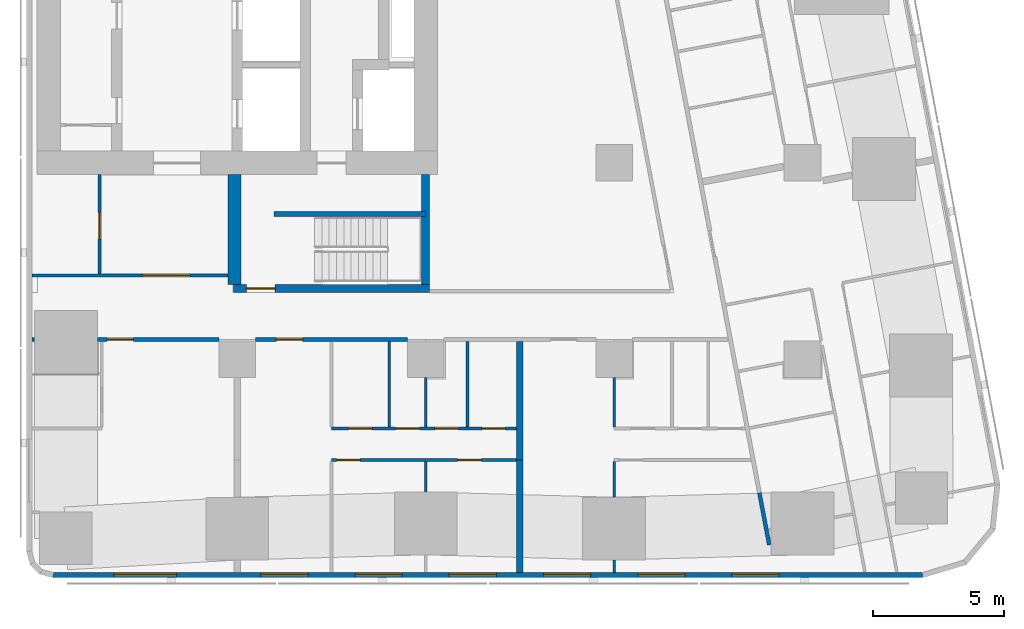
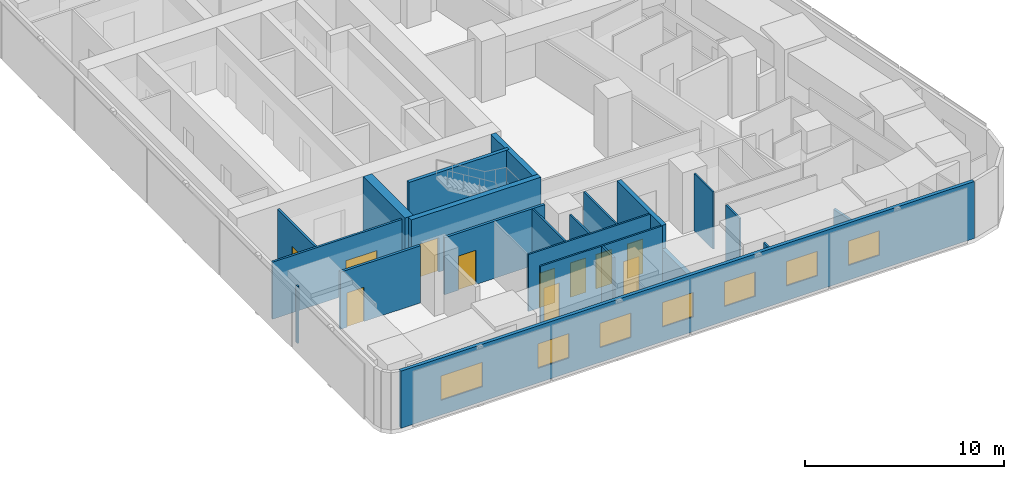
# One storey, part 2 of 10: 22 walls, 11 doors, 7 windows, 18 openings.
"""IFC4 building model written with IfcOpenShell, lengths in metres."""

from ifc_helpers import new_model, si_unit, direction, frame, frame_2d, origin, place, context, subcontext, project, spatial, rectangle, extrude, material, layer, layer_set, type_object, element, fill, save


model = new_model("IFC4")

# Units and contexts
model_context = context("Model", 3, precision=1e-05, world=origin(), true_north=direction((0.0, 1.0)))
body_context = subcontext(model_context, "Body", "Model", "MODEL_VIEW")
ifc_project = project(units=[si_unit("LENGTHUNIT", "METRE"), si_unit("AREAUNIT", "SQUARE_METRE"), si_unit("VOLUMEUNIT", "CUBIC_METRE"), si_unit("PLANEANGLEUNIT", "RADIAN"), si_unit("MASSUNIT", "GRAM", prefix="KILO")], contexts=[model_context])

# Site, building, storey
site_placement = place(None, origin())
site = spatial("IfcSite", under=ifc_project, at=site_placement, CompositionType="ELEMENT")
building_placement = place(site_placement, origin())
building = spatial("IfcBuilding", under=site, at=building_placement, Name="Sheger Commons Tower", CompositionType="ELEMENT")
storey_placement = place(building_placement, frame((0.0, 0.0, 234.949951171875)))
storey = spatial("IfcBuildingStorey", under=building, at=storey_placement, Name="L60", CompositionType="ELEMENT", Elevation=234.949951171875)

# Wall, opening, door
ifc_material_1 = material(Name="Hollow concrete block masonry, skimmed both sides", Category="masonry")
ifc_layer_1 = layer(ifc_material_1, 0.14990234375)
ifc_layer_set_1 = layer_set([ifc_layer_1], Name="CORRIDOR WALL 150")
wall_type_1 = type_object("IfcWallType", Name="CORRIDOR WALL 150", PredefinedType="SOLIDWALL", material=ifc_layer_set_1)
wall_1_placement = place(storey_placement, frame((28.09912109375, 8.25, 0.0), z_axis=(0.0, 0.0, 1.0), x_axis=(-1.0, 0.0, 0.0)))
wall_1 = element("IfcWall", 1, at=wall_1_placement, inside=storey, type_object=wall_type_1, Name="Corridor wall L60", PredefinedType="SOLIDWALL", context=body_context, shape_type="SweptSolid", body=[
    extrude(rectangle(XDim=5.798095703125, YDim=0.14990234375, at=frame_2d((2.89892578125, 0.0))), origin(), (0.0, 0.0, 1.0), 3.5),
])
opening_1_placement = place(wall_1_placement, frame((3.9990234375, 0.0, 0.0)))
opening_1 = element("IfcOpeningElement", 2, at=opening_1_placement, cuts=wall_1, Name="Opening D1", PredefinedType="OPENING", context=body_context, shape_type="SweptSolid", body=[
    extrude(rectangle(XDim=1.0, YDim=2.10009765625, at=frame_2d((0.5, 1.050048828125))), frame((0.0, 0.0849609375, 0.0), z_axis=(0.0, -1.0, 0.0), x_axis=(1.0, 0.0, 0.0)), (0.0, 0.0, 1.0), 0.169921875),
])
ifc_material_2 = material(Name="Steel door set, fire rated", Category="steel")
door_type_1 = type_object("IfcDoorType", Name="FLAT ENTRANCE DOOR 1000x2100", OperationType="NOTDEFINED", PredefinedType="DOOR", material=ifc_material_2)
door_1_placement = place(opening_1_placement, origin())
door_1 = element("IfcDoor", 3, at=door_1_placement, inside=storey, type_object=door_type_1, Name="Flat entrance door", OperationType="SINGLE_SWING_RIGHT", OverallHeight=2.10009765625, OverallWidth=1.0, PredefinedType="DOOR", context=body_context, shape_type="SweptSolid", body=[
    extrude(rectangle(XDim=1.0, YDim=2.10009765625, at=frame_2d((0.5, 1.050048828125))), frame((0.0, 0.02490234375, 0.0), z_axis=(0.0, -1.0, 0.0), x_axis=(1.0, 0.0, 0.0)), (0.0, 0.0, 1.0), 0.050048828125),
])
fill(opening_1, door_1)

wall_2_placement = place(storey_placement, frame((20.89892578125, 8.25, 0.0), z_axis=(0.0, 0.0, 1.0), x_axis=(-1.0, 0.0, 0.0)))
wall_2 = element("IfcWall", 4, at=wall_2_placement, inside=storey, type_object=wall_type_1, Name="Corridor wall L60", PredefinedType="SOLIDWALL", context=body_context, shape_type="SweptSolid", body=[
    extrude(rectangle(XDim=4.64404296875, YDim=0.14990234375, at=frame_2d((2.322021484375, 0.0))), origin(), (0.0, 0.0, 1.0), 3.5),
])
opening_2_placement = place(wall_2_placement, frame((3.27001953125, 0.0, 0.0)))
opening_2 = element("IfcOpeningElement", 5, at=opening_2_placement, cuts=wall_2, Name="Opening D1", PredefinedType="OPENING", context=body_context, shape_type="SweptSolid", body=[
    extrude(rectangle(XDim=1.0, YDim=2.10009765625, at=frame_2d((0.5, 1.050048828125))), frame((0.0, 0.0849609375, 0.0), z_axis=(0.0, -1.0, 0.0), x_axis=(1.0, 0.0, 0.0)), (0.0, 0.0, 1.0), 0.169921875),
])
door_2_placement = place(opening_2_placement, origin())
door_2 = element("IfcDoor", 6, at=door_2_placement, inside=storey, type_object=door_type_1, Name="Flat entrance door", OperationType="SINGLE_SWING_LEFT", OverallHeight=2.10009765625, OverallWidth=1.0, PredefinedType="DOOR", context=body_context, shape_type="SweptSolid", body=[
    extrude(rectangle(XDim=1.0, YDim=2.10009765625, at=frame_2d((0.5, 1.050048828125))), frame((0.0, 0.02490234375, 0.0), z_axis=(0.0, -1.0, 0.0), x_axis=(1.0, 0.0, 0.0)), (0.0, 0.0, 1.0), 0.050048828125),
])
fill(opening_2, door_2)

# Walls
wall_3_placement = place(storey_placement, frame((13.85302734375, 8.25, 0.0), z_axis=(0.0, 0.0, 1.0), x_axis=(-1.0, 0.0, 0.0)))
element("IfcWall", 7, at=wall_3_placement, inside=storey, type_object=wall_type_1, Name="Corridor wall L60", PredefinedType="SOLIDWALL", context=body_context, shape_type="SweptSolid", body=[
    extrude(rectangle(XDim=0.10302734375, YDim=0.14990234375, at=frame_2d((0.051513671875, 0.0))), origin(), (0.0, 0.0, 1.0), 3.5),
])
wall_4_placement = place(storey_placement, frame((41.552001953125, 2.39208984375, 0.0), z_axis=(0.0, 0.0, 1.0), x_axis=(0.185535500323, -0.982637561932, 0.0)))
element("IfcWall", 8, at=wall_4_placement, inside=storey, type_object=wall_type_1, Name="Corridor wall L60", PredefinedType="SOLIDWALL", context=body_context, shape_type="SweptSolid", body=[
    extrude(rectangle(XDim=2.021240234375, YDim=0.14990234375, at=frame_2d((1.0107421875, 0.0))), origin(), (0.0, 0.0, 1.0), 2.050048828125),
])
ifc_material_3 = material(Name="Dense concrete block masonry, plastered both sides (separating wall between flats)", Category="masonry")
ifc_layer_2 = layer(ifc_material_3, 0.25)
ifc_layer_set_2 = layer_set([ifc_layer_2], Name="DEMISING WALL 250")
wall_type_2 = type_object("IfcWallType", Name="DEMISING WALL 250", PredefinedType="SOLIDWALL", material=ifc_layer_set_2)
wall_5_placement = place(storey_placement, frame((32.39990234375, -0.64990234375, 0.0), z_axis=(0.0, 0.0, 1.0), x_axis=(0.0, 1.0, 0.0)))
element("IfcWall", 9, at=wall_5_placement, inside=storey, type_object=wall_type_2, Name="Demising wall L60", PredefinedType="SOLIDWALL", context=body_context, shape_type="SweptSolid", body=[
    extrude(rectangle(XDim=4.2998046875, YDim=0.25, at=frame_2d((2.14990234375, 0.0))), origin(), (0.0, 0.0, 1.0), 2.050048828125),
])
wall_6_placement = place(storey_placement, frame((32.39990234375, 3.64990234375, 0.0), z_axis=(0.0, 0.0, 1.0), x_axis=(0.0, 1.0, 0.0)))
element("IfcWall", 10, at=wall_6_placement, inside=storey, type_object=wall_type_2, Name="Demising wall L60", PredefinedType="SOLIDWALL", context=body_context, shape_type="SweptSolid", body=[
    extrude(rectangle(XDim=4.525146484375, YDim=0.25, at=frame_2d((2.2626953125, 0.0))), origin(), (0.0, 0.0, 1.0), 3.5),
])

# Wall, openings, windows
ifc_material_4 = material(Name="Rendered concrete block masonry, dark grey", Category="masonry")
ifc_layer_3 = layer(ifc_material_4, 0.199951171875)
ifc_layer_set_3 = layer_set([ifc_layer_3], Name="FACADE WALL 200")
wall_type_3 = type_object("IfcWallType", Name="FACADE WALL 200", PredefinedType="SOLIDWALL", material=ifc_layer_set_3)
wall_7_placement = place(storey_placement, frame((14.56298828125, -0.75, 0.0), z_axis=(0.0, 0.0, 1.0), x_axis=(1.0, 0.0, 0.0)))
wall_7 = element("IfcWall", 11, at=wall_7_placement, inside=storey, type_object=wall_type_3, Name="Facade wall L60", PredefinedType="SOLIDWALL", context=body_context, shape_type="SweptSolid", body=[
    extrude(rectangle(XDim=33.22802734375, YDim=0.199951171875, at=frame_2d((16.614013671875, 0.0))), origin(), (0.0, 0.0, 1.0), 3.5),
])
opening_3_placement = place(wall_7_placement, frame((2.319091796875, 0.0, 0.89990234375)))
opening_3 = element("IfcOpeningElement", 12, at=opening_3_placement, cuts=wall_7, Name="Opening W1", PredefinedType="OPENING", context=body_context, shape_type="SweptSolid", body=[
    extrude(rectangle(XDim=2.39990234375, YDim=1.5, at=frame_2d((1.199951171875, 0.75))), frame((0.0, 0.10986328125, 0.0), z_axis=(0.0, -1.0, 0.0), x_axis=(1.0, 0.0, 0.0)), (0.0, 0.0, 1.0), 0.219970703125),
])
opening_4_placement = place(wall_7_placement, frame((7.93701171875, 0.0, 0.89990234375)))
opening_4 = element("IfcOpeningElement", 13, at=opening_4_placement, cuts=wall_7, Name="Opening W2", PredefinedType="OPENING", context=body_context, shape_type="SweptSolid", body=[
    extrude(rectangle(XDim=1.800048828125, YDim=1.5, at=frame_2d((0.89990234375, 0.75))), frame((0.0, 0.10986328125, 0.0), z_axis=(0.0, -1.0, 0.0), x_axis=(1.0, 0.0, 0.0)), (0.0, 0.0, 1.0), 0.219970703125),
])
opening_5_placement = place(wall_7_placement, frame((11.537109375, 0.0, 0.89990234375)))
opening_5 = element("IfcOpeningElement", 14, at=opening_5_placement, cuts=wall_7, Name="Opening W2", PredefinedType="OPENING", context=body_context, shape_type="SweptSolid", body=[
    extrude(rectangle(XDim=1.800048828125, YDim=1.5, at=frame_2d((0.89990234375, 0.75))), frame((0.0, 0.10986328125, 0.0), z_axis=(0.0, -1.0, 0.0), x_axis=(1.0, 0.0, 0.0)), (0.0, 0.0, 1.0), 0.219970703125),
])
opening_6_placement = place(wall_7_placement, frame((15.136962890625, 0.0, 0.89990234375)))
opening_6 = element("IfcOpeningElement", 15, at=opening_6_placement, cuts=wall_7, Name="Opening W2", PredefinedType="OPENING", context=body_context, shape_type="SweptSolid", body=[
    extrude(rectangle(XDim=1.800048828125, YDim=1.5, at=frame_2d((0.89990234375, 0.75))), frame((0.0, 0.10986328125, 0.0), z_axis=(0.0, -1.0, 0.0), x_axis=(1.0, 0.0, 0.0)), (0.0, 0.0, 1.0), 0.219970703125),
])
opening_7_placement = place(wall_7_placement, frame((18.737060546875, 0.0, 0.89990234375)))
opening_7 = element("IfcOpeningElement", 16, at=opening_7_placement, cuts=wall_7, Name="Opening W2", PredefinedType="OPENING", context=body_context, shape_type="SweptSolid", body=[
    extrude(rectangle(XDim=1.800048828125, YDim=1.5, at=frame_2d((0.89990234375, 0.75))), frame((0.0, 0.10986328125, 0.0), z_axis=(0.0, -1.0, 0.0), x_axis=(1.0, 0.0, 0.0)), (0.0, 0.0, 1.0), 0.219970703125),
])
opening_8_placement = place(wall_7_placement, frame((22.3369140625, 0.0, 0.89990234375)))
opening_8 = element("IfcOpeningElement", 17, at=opening_8_placement, cuts=wall_7, Name="Opening W2", PredefinedType="OPENING", context=body_context, shape_type="SweptSolid", body=[
    extrude(rectangle(XDim=1.800048828125, YDim=1.5, at=frame_2d((0.89990234375, 0.75))), frame((0.0, 0.10986328125, 0.0), z_axis=(0.0, -1.0, 0.0), x_axis=(1.0, 0.0, 0.0)), (0.0, 0.0, 1.0), 0.219970703125),
])
opening_9_placement = place(wall_7_placement, frame((25.93701171875, 0.0, 0.89990234375)))
opening_9 = element("IfcOpeningElement", 18, at=opening_9_placement, cuts=wall_7, Name="Opening W2", PredefinedType="OPENING", context=body_context, shape_type="SweptSolid", body=[
    extrude(rectangle(XDim=1.800048828125, YDim=1.5, at=frame_2d((0.89990234375, 0.75))), frame((0.0, 0.10986328125, 0.0), z_axis=(0.0, -1.0, 0.0), x_axis=(1.0, 0.0, 0.0)), (0.0, 0.0, 1.0), 0.219970703125),
])
ifc_material_5 = material(Name="Black aluminium frame, dark tinted double glazing", Category="aluminium")
window_type_1 = type_object("IfcWindowType", Name="WINDOW W1 2400x1500", PartitioningType="SINGLE_PANEL", PredefinedType="WINDOW", material=ifc_material_5)
window_1_placement = place(opening_3_placement, origin())
window_1 = element("IfcWindow", 19, at=window_1_placement, inside=storey, type_object=window_type_1, Name="Window W1 2400X1500", OverallHeight=1.5, OverallWidth=2.39990234375, PartitioningType="SINGLE_PANEL", PredefinedType="WINDOW", context=body_context, shape_type="SweptSolid", body=[
    extrude(rectangle(XDim=2.39990234375, YDim=1.5, at=frame_2d((1.199951171875, 0.75))), frame((0.0, 0.030029296875, 0.0), z_axis=(0.0, -1.0, 0.0), x_axis=(1.0, 0.0, 0.0)), (0.0, 0.0, 1.0), 0.06005859375),
])
fill(opening_3, window_1)
ifc_material_6 = material(Name="Black aluminium frame, dark tinted double glazing", Category="aluminium")
window_type_2 = type_object("IfcWindowType", Name="WINDOW W2 1800x1500", PartitioningType="SINGLE_PANEL", PredefinedType="WINDOW", material=ifc_material_6)
window_2_placement = place(opening_4_placement, origin())
window_2 = element("IfcWindow", 20, at=window_2_placement, inside=storey, type_object=window_type_2, Name="Window W2 1800X1500", OverallHeight=1.5, OverallWidth=1.800048828125, PartitioningType="SINGLE_PANEL", PredefinedType="WINDOW", context=body_context, shape_type="SweptSolid", body=[
    extrude(rectangle(XDim=1.800048828125, YDim=1.5, at=frame_2d((0.89990234375, 0.75))), frame((0.0, 0.030029296875, 0.0), z_axis=(0.0, -1.0, 0.0), x_axis=(1.0, 0.0, 0.0)), (0.0, 0.0, 1.0), 0.06005859375),
])
fill(opening_4, window_2)
window_3_placement = place(opening_5_placement, origin())
window_3 = element("IfcWindow", 21, at=window_3_placement, inside=storey, type_object=window_type_2, Name="Window W2 1800X1500", OverallHeight=1.5, OverallWidth=1.800048828125, PartitioningType="SINGLE_PANEL", PredefinedType="WINDOW", context=body_context, shape_type="SweptSolid", body=[
    extrude(rectangle(XDim=1.800048828125, YDim=1.5, at=frame_2d((0.89990234375, 0.75))), frame((0.0, 0.030029296875, 0.0), z_axis=(0.0, -1.0, 0.0), x_axis=(1.0, 0.0, 0.0)), (0.0, 0.0, 1.0), 0.06005859375),
])
fill(opening_5, window_3)
window_4_placement = place(opening_6_placement, origin())
window_4 = element("IfcWindow", 22, at=window_4_placement, inside=storey, type_object=window_type_2, Name="Window W2 1800X1500", OverallHeight=1.5, OverallWidth=1.800048828125, PartitioningType="SINGLE_PANEL", PredefinedType="WINDOW", context=body_context, shape_type="SweptSolid", body=[
    extrude(rectangle(XDim=1.800048828125, YDim=1.5, at=frame_2d((0.89990234375, 0.75))), frame((0.0, 0.030029296875, 0.0), z_axis=(0.0, -1.0, 0.0), x_axis=(1.0, 0.0, 0.0)), (0.0, 0.0, 1.0), 0.06005859375),
])
fill(opening_6, window_4)
window_5_placement = place(opening_7_placement, origin())
window_5 = element("IfcWindow", 23, at=window_5_placement, inside=storey, type_object=window_type_2, Name="Window W2 1800X1500", OverallHeight=1.5, OverallWidth=1.800048828125, PartitioningType="SINGLE_PANEL", PredefinedType="WINDOW", context=body_context, shape_type="SweptSolid", body=[
    extrude(rectangle(XDim=1.800048828125, YDim=1.5, at=frame_2d((0.89990234375, 0.75))), frame((0.0, 0.030029296875, 0.0), z_axis=(0.0, -1.0, 0.0), x_axis=(1.0, 0.0, 0.0)), (0.0, 0.0, 1.0), 0.06005859375),
])
fill(opening_7, window_5)
window_6_placement = place(opening_8_placement, origin())
window_6 = element("IfcWindow", 24, at=window_6_placement, inside=storey, type_object=window_type_2, Name="Window W2 1800X1500", OverallHeight=1.5, OverallWidth=1.800048828125, PartitioningType="SINGLE_PANEL", PredefinedType="WINDOW", context=body_context, shape_type="SweptSolid", body=[
    extrude(rectangle(XDim=1.800048828125, YDim=1.5, at=frame_2d((0.89990234375, 0.75))), frame((0.0, 0.030029296875, 0.0), z_axis=(0.0, -1.0, 0.0), x_axis=(1.0, 0.0, 0.0)), (0.0, 0.0, 1.0), 0.06005859375),
])
fill(opening_8, window_6)
window_7_placement = place(opening_9_placement, origin())
window_7 = element("IfcWindow", 25, at=window_7_placement, inside=storey, type_object=window_type_2, Name="Window W2 1800X1500", OverallHeight=1.5, OverallWidth=1.800048828125, PartitioningType="SINGLE_PANEL", PredefinedType="WINDOW", context=body_context, shape_type="SweptSolid", body=[
    extrude(rectangle(XDim=1.800048828125, YDim=1.5, at=frame_2d((0.89990234375, 0.75))), frame((0.0, 0.030029296875, 0.0), z_axis=(0.0, -1.0, 0.0), x_axis=(1.0, 0.0, 0.0)), (0.0, 0.0, 1.0), 0.06005859375),
])
fill(opening_9, window_7)

# Wall, openings, doors
ifc_material_7 = material(Name="Gypsum board on steel studs", Category="steel")
ifc_layer_4 = layer(ifc_material_7, 0.10009765625)
ifc_layer_set_4 = layer_set([ifc_layer_4], Name="PARTITION 100")
wall_type_4 = type_object("IfcWallType", Name="PARTITION 100", PredefinedType="PARTITIONING", material=ifc_layer_set_4)
wall_8_placement = place(storey_placement, frame((32.27490234375, 3.64990234375, 0.0), z_axis=(0.0, 0.0, 1.0), x_axis=(-1.0, 0.0, 0.0)))
wall_8 = element("IfcWall", 26, at=wall_8_placement, inside=storey, type_object=wall_type_4, Name="Partition L60", PredefinedType="PARTITIONING", context=body_context, shape_type="SweptSolid", body=[
    extrude(rectangle(XDim=7.074951171875, YDim=0.10009765625, at=frame_2d((3.53759765625, 0.0))), origin(), (0.0, 0.0, 1.0), 3.5),
])
opening_10_placement = place(wall_8_placement, frame((5.97509765625, 0.0, 0.0)))
opening_10 = element("IfcOpeningElement", 27, at=opening_10_placement, cuts=wall_8, Name="Opening D2", PredefinedType="OPENING", context=body_context, shape_type="SweptSolid", body=[
    extrude(rectangle(XDim=0.89990234375, YDim=2.10009765625, at=frame_2d((0.449951171875, 1.050048828125))), frame((0.0, 0.06005859375, 0.0), z_axis=(0.0, -1.0, 0.0), x_axis=(1.0, 0.0, 0.0)), (0.0, 0.0, 1.0), 0.1201171875),
])
opening_11_placement = place(wall_8_placement, frame((1.35009765625, 0.0, 0.0)))
opening_11 = element("IfcOpeningElement", 28, at=opening_11_placement, cuts=wall_8, Name="Opening D2", PredefinedType="OPENING", context=body_context, shape_type="SweptSolid", body=[
    extrude(rectangle(XDim=0.89990234375, YDim=2.10009765625, at=frame_2d((0.449951171875, 1.050048828125))), frame((0.0, 0.06005859375, 0.0), z_axis=(0.0, -1.0, 0.0), x_axis=(1.0, 0.0, 0.0)), (0.0, 0.0, 1.0), 0.1201171875),
])
ifc_material_8 = material(Name="Timber door set", Category="wood")
door_type_2 = type_object("IfcDoorType", Name="INTERNAL DOOR 900x2100", OperationType="NOTDEFINED", PredefinedType="DOOR", material=ifc_material_8)
door_3_placement = place(opening_10_placement, origin())
door_3 = element("IfcDoor", 29, at=door_3_placement, inside=storey, type_object=door_type_2, Name="Main bedroom door", OperationType="SINGLE_SWING_RIGHT", OverallHeight=2.10009765625, OverallWidth=0.89990234375, PredefinedType="DOOR", context=body_context, shape_type="SweptSolid", body=[
    extrude(rectangle(XDim=0.89990234375, YDim=2.10009765625, at=frame_2d((0.449951171875, 1.050048828125))), frame((0.0, 0.02490234375, 0.0), z_axis=(0.0, -1.0, 0.0), x_axis=(1.0, 0.0, 0.0)), (0.0, 0.0, 1.0), 0.050048828125),
])
fill(opening_10, door_3)
door_4_placement = place(opening_11_placement, origin())
door_4 = element("IfcDoor", 30, at=door_4_placement, inside=storey, type_object=door_type_2, Name="Bedroom 2 door", OperationType="SINGLE_SWING_LEFT", OverallHeight=2.10009765625, OverallWidth=0.89990234375, PredefinedType="DOOR", context=body_context, shape_type="SweptSolid", body=[
    extrude(rectangle(XDim=0.89990234375, YDim=2.10009765625, at=frame_2d((0.449951171875, 1.050048828125))), frame((0.0, 0.02490234375, 0.0), z_axis=(0.0, -1.0, 0.0), x_axis=(1.0, 0.0, 0.0)), (0.0, 0.0, 1.0), 0.050048828125),
])
fill(opening_11, door_4)

wall_9_placement = place(storey_placement, frame((32.27490234375, 4.85009765625, 0.0), z_axis=(0.0, 0.0, 1.0), x_axis=(-1.0, 0.0, 0.0)))
wall_9 = element("IfcWall", 31, at=wall_9_placement, inside=storey, type_object=wall_type_4, Name="Partition L60", PredefinedType="PARTITIONING", context=body_context, shape_type="SweptSolid", body=[
    extrude(rectangle(XDim=7.074951171875, YDim=0.10009765625, at=frame_2d((3.53759765625, 0.0))), origin(), (0.0, 0.0, 1.0), 3.5),
])
opening_12_placement = place(wall_9_placement, frame((5.52001953125, 0.0, 0.0)))
opening_12 = element("IfcOpeningElement", 32, at=opening_12_placement, cuts=wall_9, Name="Opening D2", PredefinedType="OPENING", context=body_context, shape_type="SweptSolid", body=[
    extrude(rectangle(XDim=0.89990234375, YDim=2.10009765625, at=frame_2d((0.449951171875, 1.050048828125))), frame((0.0, 0.06005859375, 0.0), z_axis=(0.0, -1.0, 0.0), x_axis=(1.0, 0.0, 0.0)), (0.0, 0.0, 1.0), 0.1201171875),
])
opening_13_placement = place(wall_9_placement, frame((2.22509765625, 0.0, 0.0)))
opening_13 = element("IfcOpeningElement", 33, at=opening_13_placement, cuts=wall_9, Name="Opening D2", PredefinedType="OPENING", context=body_context, shape_type="SweptSolid", body=[
    extrude(rectangle(XDim=0.89990234375, YDim=2.10009765625, at=frame_2d((0.449951171875, 1.050048828125))), frame((0.0, 0.06005859375, 0.0), z_axis=(0.0, -1.0, 0.0), x_axis=(1.0, 0.0, 0.0)), (0.0, 0.0, 1.0), 0.1201171875),
])
opening_14_placement = place(wall_9_placement, frame((3.719970703125, 0.0, 0.0)))
opening_14 = element("IfcOpeningElement", 34, at=opening_14_placement, cuts=wall_9, Name="Opening D2", PredefinedType="OPENING", context=body_context, shape_type="SweptSolid", body=[
    extrude(rectangle(XDim=0.89990234375, YDim=2.10009765625, at=frame_2d((0.449951171875, 1.050048828125))), frame((0.0, 0.06005859375, 0.0), z_axis=(0.0, -1.0, 0.0), x_axis=(1.0, 0.0, 0.0)), (0.0, 0.0, 1.0), 0.1201171875),
])
opening_15_placement = place(wall_9_placement, frame((0.425048828125, 0.0, 0.0)))
opening_15 = element("IfcOpeningElement", 35, at=opening_15_placement, cuts=wall_9, Name="Opening D2", PredefinedType="OPENING", context=body_context, shape_type="SweptSolid", body=[
    extrude(rectangle(XDim=0.89990234375, YDim=2.10009765625, at=frame_2d((0.449951171875, 1.050048828125))), frame((0.0, 0.06005859375, 0.0), z_axis=(0.0, -1.0, 0.0), x_axis=(1.0, 0.0, 0.0)), (0.0, 0.0, 1.0), 0.1201171875),
])
door_5_placement = place(opening_12_placement, origin())
door_5 = element("IfcDoor", 36, at=door_5_placement, inside=storey, type_object=door_type_2, Name="Bathroom door", OperationType="SINGLE_SWING_LEFT", OverallHeight=2.10009765625, OverallWidth=0.89990234375, PredefinedType="DOOR", context=body_context, shape_type="SweptSolid", body=[
    extrude(rectangle(XDim=0.89990234375, YDim=2.10009765625, at=frame_2d((0.449951171875, 1.050048828125))), frame((0.0, 0.02490234375, 0.0), z_axis=(0.0, -1.0, 0.0), x_axis=(1.0, 0.0, 0.0)), (0.0, 0.0, 1.0), 0.050048828125),
])
fill(opening_12, door_5)
door_6_placement = place(opening_13_placement, origin())
door_6 = element("IfcDoor", 37, at=door_6_placement, inside=storey, type_object=door_type_2, Name="Shower room door", OperationType="SINGLE_SWING_RIGHT", OverallHeight=2.10009765625, OverallWidth=0.89990234375, PredefinedType="DOOR", context=body_context, shape_type="SweptSolid", body=[
    extrude(rectangle(XDim=0.89990234375, YDim=2.10009765625, at=frame_2d((0.449951171875, 1.050048828125))), frame((0.0, 0.02490234375, 0.0), z_axis=(0.0, -1.0, 0.0), x_axis=(1.0, 0.0, 0.0)), (0.0, 0.0, 1.0), 0.050048828125),
])
fill(opening_13, door_6)
door_7_placement = place(opening_14_placement, origin())
door_7 = element("IfcDoor", 38, at=door_7_placement, inside=storey, type_object=door_type_2, Name="Store door", OperationType="SINGLE_SWING_RIGHT", OverallHeight=2.10009765625, OverallWidth=0.89990234375, PredefinedType="DOOR", context=body_context, shape_type="SweptSolid", body=[
    extrude(rectangle(XDim=0.89990234375, YDim=2.10009765625, at=frame_2d((0.449951171875, 1.050048828125))), frame((0.0, 0.02490234375, 0.0), z_axis=(0.0, -1.0, 0.0), x_axis=(1.0, 0.0, 0.0)), (0.0, 0.0, 1.0), 0.050048828125),
])
fill(opening_14, door_7)
door_8_placement = place(opening_15_placement, origin())
door_8 = element("IfcDoor", 39, at=door_8_placement, inside=storey, type_object=door_type_2, Name="Store door", OperationType="SINGLE_SWING_RIGHT", OverallHeight=2.10009765625, OverallWidth=0.89990234375, PredefinedType="DOOR", context=body_context, shape_type="SweptSolid", body=[
    extrude(rectangle(XDim=0.89990234375, YDim=2.10009765625, at=frame_2d((0.449951171875, 1.050048828125))), frame((0.0, 0.02490234375, 0.0), z_axis=(0.0, -1.0, 0.0), x_axis=(1.0, 0.0, 0.0)), (0.0, 0.0, 1.0), 0.050048828125),
])
fill(opening_15, door_8)

# Walls
wall_10_placement = place(storey_placement, frame((28.800048828125, 2.426025390625, 0.0), z_axis=(0.0, 0.0, 1.0), x_axis=(0.0, 1.0, 0.0)))
element("IfcWall", 40, at=wall_10_placement, inside=storey, type_object=wall_type_4, Name="Partition L60", PredefinedType="PARTITIONING", context=body_context, shape_type="SweptSolid", body=[
    extrude(rectangle(XDim=1.174072265625, YDim=0.10009765625, at=frame_2d((0.5869140625, 0.0))), origin(), (0.0, 0.0, 1.0), 3.5),
])
wall_11_placement = place(storey_placement, frame((28.800048828125, 4.89990234375, 0.0), z_axis=(0.0, 0.0, 1.0), x_axis=(0.0, 1.0, 0.0)))
element("IfcWall", 41, at=wall_11_placement, inside=storey, type_object=wall_type_4, Name="Partition L60", PredefinedType="PARTITIONING", context=body_context, shape_type="SweptSolid", body=[
    extrude(rectangle(XDim=1.899169921875, YDim=0.10009765625, at=frame_2d((0.94970703125, 0.0))), origin(), (0.0, 0.0, 1.0), 3.5),
])
for number, where, z_axis, x_axis, name in (
    (42, (27.409912109375, 4.89990234375, 0.0), (0.0, 0.0, 1.0), (0.0, 1.0, 0.0), "Partition L60"),
    (43, (30.39990234375, 4.89990234375, 0.0), (0.0, 0.0, 1.0), (0.0, 1.0, 0.0), "Partition L60"),
):
    element("IfcWall", number, at=place(storey_placement, frame(where, z_axis=z_axis, x_axis=x_axis)), inside=storey, type_object=wall_type_4, Name=name, PredefinedType="PARTITIONING", context=body_context, shape_type="SweptSolid", body=[
        extrude(rectangle(XDim=3.275146484375, YDim=0.10009765625, at=frame_2d((1.6376953125, 0.0))), origin(), (0.0, 0.0, 1.0), 3.5),
    ])
wall_12_placement = place(storey_placement, frame((36.0, -0.64990234375, 0.0), z_axis=(0.0, 0.0, 1.0), x_axis=(0.0, 1.0, 0.0)))
element("IfcWall", 44, at=wall_12_placement, inside=storey, type_object=wall_type_4, Name="Partition L60", PredefinedType="PARTITIONING", context=body_context, shape_type="SweptSolid", body=[
    extrude(rectangle(XDim=0.473876953125, YDim=0.10009765625, at=frame_2d((0.23681640625, 0.0))), origin(), (0.0, 0.0, 1.0), 3.5),
])
wall_13_placement = place(storey_placement, frame((36.0, 2.22607421875, 0.0), z_axis=(0.0, 0.0, 1.0), x_axis=(0.0, 1.0, 0.0)))
element("IfcWall", 45, at=wall_13_placement, inside=storey, type_object=wall_type_4, Name="Partition L60", PredefinedType="PARTITIONING", context=body_context, shape_type="SweptSolid", body=[
    extrude(rectangle(XDim=1.3740234375, YDim=0.10009765625, at=frame_2d((0.68701171875, 0.0))), origin(), (0.0, 0.0, 1.0), 3.5),
])
wall_14_placement = place(storey_placement, frame((36.0, 4.89990234375, 0.0), z_axis=(0.0, 0.0, 1.0), x_axis=(0.0, 1.0, 0.0)))
element("IfcWall", 46, at=wall_14_placement, inside=storey, type_object=wall_type_4, Name="Partition L60", PredefinedType="PARTITIONING", context=body_context, shape_type="SweptSolid", body=[
    extrude(rectangle(XDim=1.899169921875, YDim=0.10009765625, at=frame_2d((0.94970703125, 0.0))), origin(), (0.0, 0.0, 1.0), 3.5),
])

# Wall, opening, door
ifc_material_9 = material(Name="Gypsum board on steel studs, two layers each side, fire rated", Category="steel")
ifc_layer_5 = layer(ifc_material_9, 0.125)
ifc_layer_set_5 = layer_set([ifc_layer_5], Name="SERVICE WALL 125")
wall_type_5 = type_object("IfcWallType", Name="SERVICE WALL 125", PredefinedType="PARTITIONING", material=ifc_layer_set_5)
wall_15_placement = place(storey_placement, frame((13.75, 10.699951171875, 0.0), z_axis=(0.0, 0.0, 1.0), x_axis=(1.0, 0.0, 0.0)))
wall_15 = element("IfcWall", 47, at=wall_15_placement, inside=storey, type_object=wall_type_5, Name="Service room wall L60", PredefinedType="PARTITIONING", context=body_context, shape_type="SweptSolid", body=[
    extrude(rectangle(XDim=7.5, YDim=0.125, at=frame_2d((3.75, 0.0))), origin(), (0.0, 0.0, 1.0), 3.5),
])
opening_16_placement = place(wall_15_placement, frame((4.2451171875, 0.0, 0.0)))
opening_16 = element("IfcOpeningElement", 48, at=opening_16_placement, cuts=wall_15, Name="Opening D6", PredefinedType="OPENING", context=body_context, shape_type="SweptSolid", body=[
    extrude(rectangle(XDim=1.800048828125, YDim=2.10009765625, at=frame_2d((0.89990234375, 1.050048828125))), frame((0.0, 0.072509765625, 0.0), z_axis=(0.0, -1.0, 0.0), x_axis=(1.0, 0.0, 0.0)), (0.0, 0.0, 1.0), 0.14501953125),
])
ifc_material_10 = material(Name="Steel door set, fire rated", Category="steel")
door_type_3 = type_object("IfcDoorType", Name="LOBBY DOUBLE DOOR 1800x2100", OperationType="DOUBLE_DOOR_SINGLE_SWING", PredefinedType="DOOR", material=ifc_material_10)
door_9_placement = place(opening_16_placement, origin())
door_9 = element("IfcDoor", 49, at=door_9_placement, inside=storey, type_object=door_type_3, Name="Lift lobby south door", OperationType="DOUBLE_DOOR_SINGLE_SWING", OverallHeight=2.10009765625, OverallWidth=1.800048828125, PredefinedType="DOOR", context=body_context, shape_type="SweptSolid", body=[
    extrude(rectangle(XDim=1.800048828125, YDim=2.10009765625, at=frame_2d((0.89990234375, 1.050048828125))), frame((0.0, 0.02490234375, 0.0), z_axis=(0.0, -1.0, 0.0), x_axis=(1.0, 0.0, 0.0)), (0.0, 0.0, 1.0), 0.050048828125),
])
fill(opening_16, door_9)

wall_16_placement = place(storey_placement, frame((16.340087890625, 10.761962890625, 0.0), z_axis=(0.0, 0.0, 1.0), x_axis=(0.0, 1.0, 0.0)))
wall_16 = element("IfcWall", 50, at=wall_16_placement, inside=storey, type_object=wall_type_5, Name="Service room wall L60", PredefinedType="PARTITIONING", context=body_context, shape_type="SweptSolid", body=[
    extrude(rectangle(XDim=3.7880859375, YDim=0.125, at=frame_2d((1.89404296875, 0.0))), origin(), (0.0, 0.0, 1.0), 3.5),
])
opening_17_placement = place(wall_16_placement, frame((1.337890625, 0.0, 0.0)))
opening_17 = element("IfcOpeningElement", 51, at=opening_17_placement, cuts=wall_16, Name="Opening D4", PredefinedType="OPENING", context=body_context, shape_type="SweptSolid", body=[
    extrude(rectangle(XDim=1.0, YDim=2.10009765625, at=frame_2d((0.5, 1.050048828125))), frame((0.0, 0.072509765625, 0.0), z_axis=(0.0, -1.0, 0.0), x_axis=(1.0, 0.0, 0.0)), (0.0, 0.0, 1.0), 0.14501953125),
])
ifc_material_11 = material(Name="Steel door set, fire rated", Category="steel")
door_type_4 = type_object("IfcDoorType", Name="SERVICE DOOR 1000x2100", OperationType="NOTDEFINED", PredefinedType="DOOR", material=ifc_material_11)
door_10_placement = place(opening_17_placement, origin())
door_10 = element("IfcDoor", 52, at=door_10_placement, inside=storey, type_object=door_type_4, Name="Electrical room door", OperationType="SINGLE_SWING_LEFT", OverallHeight=2.10009765625, OverallWidth=1.0, PredefinedType="DOOR", context=body_context, shape_type="SweptSolid", body=[
    extrude(rectangle(XDim=1.0, YDim=2.10009765625, at=frame_2d((0.5, 1.050048828125))), frame((0.0, 0.02490234375, 0.0), z_axis=(0.0, -1.0, 0.0), x_axis=(1.0, 0.0, 0.0)), (0.0, 0.0, 1.0), 0.050048828125),
])
fill(opening_17, door_10)

ifc_material_12 = material(Name="Concrete C50/60", Category="concrete")
ifc_layer_6 = layer(ifc_material_12, 0.300048828125)
ifc_layer_set_6 = layer_set([ifc_layer_6], Name="STAIR CORE WALL 300")
wall_type_6 = type_object("IfcWallType", Name="STAIR CORE WALL 300", PredefinedType="SHEAR", material=ifc_layer_set_6)
wall_17_placement = place(storey_placement, frame((21.449951171875, 10.199951171875, 0.0), z_axis=(0.0, 0.0, 1.0), x_axis=(1.0, 0.0, 0.0)))
wall_17 = element("IfcWall", 53, at=wall_17_placement, inside=storey, type_object=wall_type_6, Name="STW-L60-S1S", PredefinedType="SHEAR", context=body_context, shape_type="SweptSolid", body=[
    extrude(rectangle(XDim=7.5, YDim=0.300048828125, at=frame_2d((3.75, 0.0))), origin(), (0.0, 0.0, 1.0), 3.75),
])
opening_18_placement = place(wall_17_placement, frame((0.5, 0.0, 0.0)))
opening_18 = element("IfcOpeningElement", 54, at=opening_18_placement, cuts=wall_17, Name="Opening D5", PredefinedType="OPENING", context=body_context, shape_type="SweptSolid", body=[
    extrude(rectangle(XDim=1.10009765625, YDim=2.10009765625, at=frame_2d((0.550048828125, 1.050048828125))), frame((0.0, 0.159912109375, 0.0), z_axis=(0.0, -1.0, 0.0), x_axis=(1.0, 0.0, 0.0)), (0.0, 0.0, 1.0), 0.320068359375),
])
ifc_material_13 = material(Name="Steel door set, fire rated", Category="steel")
door_type_5 = type_object("IfcDoorType", Name="STAIR DOOR 1100x2100", OperationType="NOTDEFINED", PredefinedType="DOOR", material=ifc_material_13)
door_11_placement = place(opening_18_placement, origin())
door_11 = element("IfcDoor", 55, at=door_11_placement, inside=storey, type_object=door_type_5, Name="Stair S1 door", OperationType="SINGLE_SWING_LEFT", OverallHeight=2.10009765625, OverallWidth=1.10009765625, PredefinedType="DOOR", context=body_context, shape_type="SweptSolid", body=[
    extrude(rectangle(XDim=1.10009765625, YDim=2.10009765625, at=frame_2d((0.550048828125, 1.050048828125))), frame((0.0, 0.02490234375, 0.0), z_axis=(0.0, -1.0, 0.0), x_axis=(1.0, 0.0, 0.0)), (0.0, 0.0, 1.0), 0.050048828125),
])
fill(opening_18, door_11)

# Walls
wall_18_placement = place(storey_placement, frame((28.800048828125, 10.35009765625, 0.0), z_axis=(0.0, 0.0, 1.0), x_axis=(0.0, 1.0, 0.0)))
element("IfcWall", 56, at=wall_18_placement, inside=storey, type_object=wall_type_6, Name="STW-L60-S1E", PredefinedType="SHEAR", context=body_context, shape_type="SweptSolid", body=[
    extrude(rectangle(XDim=4.199951171875, YDim=0.300048828125, at=frame_2d((2.10009765625, 0.0))), origin(), (0.0, 0.0, 1.0), 3.75),
])
ifc_material_14 = material(Name="Concrete C50/60", Category="concrete")
ifc_layer_7 = layer(ifc_material_14, 0.5)
ifc_layer_set_7 = layer_set([ifc_layer_7], Name="STAIR CORE WALL 500")
wall_type_7 = type_object("IfcWallType", Name="STAIR CORE WALL 500", PredefinedType="SHEAR", material=ifc_layer_set_7)
wall_19_placement = place(storey_placement, frame((21.5, 10.35009765625, 0.0), z_axis=(0.0, 0.0, 1.0), x_axis=(0.0, 1.0, 0.0)))
element("IfcWall", 57, at=wall_19_placement, inside=storey, type_object=wall_type_7, Name="STW-L60-S1W", PredefinedType="SHEAR", context=body_context, shape_type="SweptSolid", body=[
    extrude(rectangle(XDim=4.199951171875, YDim=0.5, at=frame_2d((2.10009765625, 0.0))), origin(), (0.0, 0.0, 1.0), 3.75),
])
ifc_material_15 = material(Name="Concrete C50/60", Category="concrete")
ifc_layer_8 = layer(ifc_material_15, 0.199951171875)
ifc_layer_set_8 = layer_set([ifc_layer_8], Name="STAIR SPINE WALL 200")
wall_type_8 = type_object("IfcWallType", Name="STAIR SPINE WALL 200", PredefinedType="SHEAR", material=ifc_layer_set_8)
wall_20_placement = place(storey_placement, frame((23.0, 13.050048828125, 0.0), z_axis=(0.0, 0.0, 1.0), x_axis=(1.0, 0.0, 0.0)))
element("IfcWall", 58, at=wall_20_placement, inside=storey, type_object=wall_type_8, Name="Stair spine wall L60", PredefinedType="SHEAR", context=body_context, shape_type="SweptSolid", body=[
    extrude(rectangle(XDim=5.800048828125, YDim=0.199951171875, at=frame_2d((2.89990234375, 0.0))), origin(), (0.0, 0.0, 1.0), 3.75),
])

save(model, "model.ifc")
